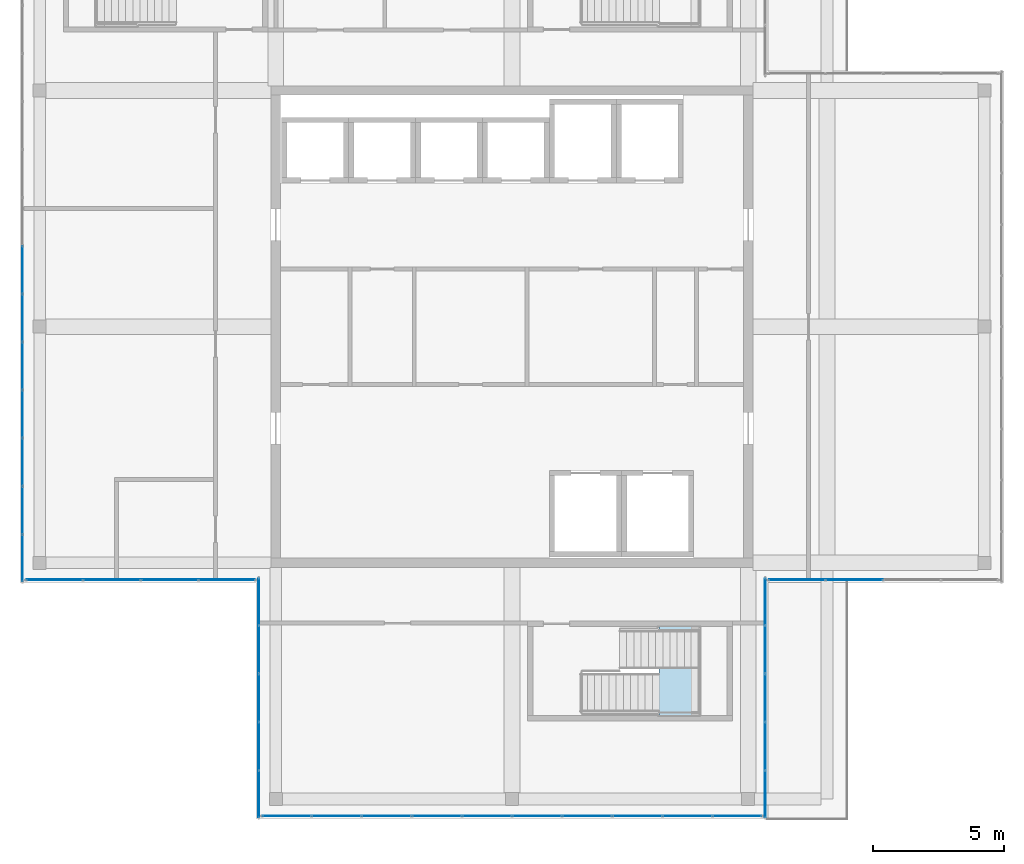
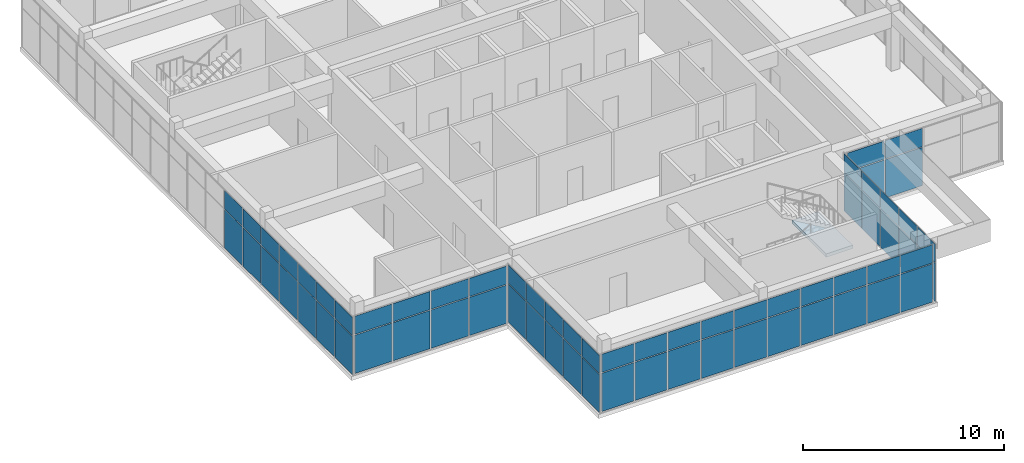
# One storey, part 30 of 36: 66 plates, 1 slab, 7 elements without a shape of their own.
"""IFC4 building model written with IfcOpenShell, lengths in metres."""

import ifcopenshell
import ifcopenshell.guid

model = None  # the IFC model being written
_history = None  # IfcOwnerHistory: only IFC2X3 demands one
_inside = {}  # id of a spatial element -> (the spatial element, [elements in it])
_under = {}  # id of a project, library or spatial element -> (it, [spatial elements below it])
_declared = {}  # id of a project -> (the project, [libraries it declares])
_typed = {}  # id of a type object -> (the type object, [elements of that type])
_made_of = {}  # id of a material, layer set ... -> (it, [elements and type objects made of it])


def new_model(schema):
    """Start an empty IFC model of exactly this schema.

    Asked for "IFC4X3", IfcOpenShell would pick the latest addendum, in which some entities
    have other attributes; the version numbers below select the first issue.
    IFC2X3 requires an IfcOwnerHistory on every rooted entity: one is made here for all.
    """
    global model, _history
    if schema == "IFC4X3":
        model = ifcopenshell.file(schema_version=(4, 3, 0, 0))
    else:
        model = ifcopenshell.file(schema=schema)
    _inside.clear()
    _under.clear()
    _declared.clear()
    _typed.clear()
    _made_of.clear()
    _history = None
    if model.schema == "IFC2X3":
        org = make("IfcOrganization", Name="unknown")
        user = make(
            "IfcPersonAndOrganization",
            ThePerson=make("IfcPerson", FamilyName="unknown"),
            TheOrganization=org,
        )
        app = make(
            "IfcApplication",
            ApplicationDeveloper=org,
            Version="unknown",
            ApplicationFullName="unknown",
            ApplicationIdentifier="unknown",
        )
        _history = make(
            "IfcOwnerHistory",
            OwningUser=user,
            OwningApplication=app,
            ChangeAction="ADDED",
            CreationDate=0,
        )
    return model


def make(cls, **values):
    """One entity of the class cls with the attributes given. An attribute that is None is left unset."""
    return model.create_entity(
        cls, **{name: value for name, value in values.items() if value is not None}
    )


def rooted(cls, **values):
    """An entity with a GlobalId (a new one), such as an element, a storey or a relation."""
    return make(cls, GlobalId=ifcopenshell.guid.new(), OwnerHistory=_history, **values)


def si_unit(unit_type, name, prefix=None):
    """IfcSIUnit, for example si_unit("LENGTHUNIT", "METRE", prefix="MILLI")."""
    return make("IfcSIUnit", UnitType=unit_type, Prefix=prefix, Name=name)


def assignment(units):
    """IfcUnitAssignment: the units of a project."""
    return None if units is None else make("IfcUnitAssignment", Units=units)


def point(xyz):
    """IfcCartesianPoint."""
    return None if xyz is None else make("IfcCartesianPoint", Coordinates=xyz)


def direction(xyz):
    """IfcDirection."""
    return None if xyz is None else make("IfcDirection", DirectionRatios=xyz)


def frame(location, z_axis=None, x_axis=None):
    """IfcAxis2Placement3D, a coordinate frame: its origin and axes. An axis left out is left unset."""
    return make(
        "IfcAxis2Placement3D",
        Location=point(location),
        Axis=direction(z_axis),
        RefDirection=direction(x_axis),
    )


def frame_2d(location, x_axis=None):
    """IfcAxis2Placement2D, a coordinate frame in the plane: its origin and x axis."""
    return make(
        "IfcAxis2Placement2D", Location=point(location), RefDirection=direction(x_axis)
    )


def origin():
    """The frame at (0, 0, 0) with its axes left unset."""
    return frame((0.0, 0.0, 0.0))


def origin_2d():
    """The frame at (0, 0) in the plane with its x axis left unset."""
    return frame_2d((0.0, 0.0))


def place(relative_to, where):
    """IfcLocalPlacement: puts the frame where relative to a parent placement (None: the world)."""
    return make(
        "IfcLocalPlacement", PlacementRelTo=relative_to, RelativePlacement=where
    )


def context(
    kind, dimensions, precision=None, world=None, true_north=None, identifier=None
):
    """IfcGeometricRepresentationContext, for example the 3D "Model" context."""
    return make(
        "IfcGeometricRepresentationContext",
        ContextIdentifier=identifier,
        ContextType=kind,
        CoordinateSpaceDimension=dimensions,
        Precision=precision,
        WorldCoordinateSystem=world,
        TrueNorth=true_north,
    )


def subcontext(parent, identifier, kind, view, scale=None):
    """IfcGeometricRepresentationSubContext, for example "Body" below "Model"."""
    return make(
        "IfcGeometricRepresentationSubContext",
        ContextIdentifier=identifier,
        ContextType=kind,
        ParentContext=parent,
        TargetScale=scale,
        TargetView=view,
    )


def project(units=None, contexts=None):
    """IfcProject with its units and contexts."""
    return rooted(
        "IfcProject",
        Name="project",
        RepresentationContexts=contexts,
        UnitsInContext=assignment(units),
    )


def spatial(cls, under=None, at=None, **own):
    """A site, building, storey or space (cls), placed at a placement, below another one or the project."""
    s = rooted(cls, ObjectPlacement=at, **own)
    if under is not None:
        _under.setdefault(under.id(), (under, []))[1].append(s)
    return s


def polyline(points):
    """IfcPolyline through the points."""
    return make("IfcPolyline", Points=[point(p) for p in points])


def profile(cls, at=None, kind="AREA", **sizes):
    """A parametric profile (cls). Its sizes go by their IFC names, for example OverallWidth=200.0."""
    return make(cls, ProfileType=kind, Position=at, **sizes)


def rectangle(**sizes):
    """IfcRectangleProfileDef."""
    return profile("IfcRectangleProfileDef", **sizes)


def outline(outer, holes=None, kind="AREA"):
    """IfcArbitraryClosedProfileDef: a profile drawn as a closed curve; with holes, ...WithVoids."""
    if holes is None:
        return make("IfcArbitraryClosedProfileDef", ProfileType=kind, OuterCurve=outer)
    return make(
        "IfcArbitraryProfileDefWithVoids",
        ProfileType=kind,
        OuterCurve=outer,
        InnerCurves=holes,
    )


def extrude(swept, where, along, depth):
    """IfcExtrudedAreaSolid: the profile swept, set in the frame where, extruded along a direction by depth."""
    return make(
        "IfcExtrudedAreaSolid",
        SweptArea=swept,
        Position=where,
        ExtrudedDirection=direction(along),
        Depth=depth,
    )


def shape(context_of_items, identifier, shape_type, items):
    """IfcShapeRepresentation: the items that make up one representation, for example the "Body"."""
    return make(
        "IfcShapeRepresentation",
        ContextOfItems=context_of_items,
        RepresentationIdentifier=identifier,
        RepresentationType=shape_type,
        Items=items,
    )


def material(Name=None, Category=None):
    """IfcMaterial."""
    return make("IfcMaterial", Name=Name, Category=Category)


def layer(
    of_material, thickness, ventilated=None, Name=None, Category=None, Priority=None
):
    """IfcMaterialLayer: one layer of a wall or slab, of a material (None: an air gap)."""
    return make(
        "IfcMaterialLayer",
        Material=of_material,
        LayerThickness=thickness,
        IsVentilated=ventilated,
        Name=Name,
        Category=Category,
        Priority=Priority,
    )


def layer_set(layers, Name=None):
    """IfcMaterialLayerSet."""
    return make("IfcMaterialLayerSet", MaterialLayers=layers, LayerSetName=Name)


def made_of(thing, what):
    """Note that an element or type object is made of a material, layer set ...; save() writes the relation."""
    if what is not None:
        _made_of.setdefault(what.id(), (what, []))[1].append(thing)
    return thing


def type_object(cls, material=None, **own):
    """A type object (cls), such as IfcWallType, which elements share."""
    return made_of(rooted(cls, **own), material)


def element(
    cls,
    number,
    at=None,
    inside=None,
    cuts=None,
    type_object=None,
    material=None,
    context=None,
    identifier="Body",
    shape_type=None,
    held_by="IfcProductDefinitionShape",
    body=None,
    shapes=None,
    **own,
):
    """One element of the class cls, such as IfcWall. Its Tag is "e" and its number.

    at: its placement. inside: the storey or other place that contains it. cuts: it is an
    opening in that element (IfcRelVoidsElement). A single representation is given by context,
    identifier, shape_type and body (its items); several are given by shapes. held_by: the class
    of the entity that holds the representations. save() writes the other relations.
    """
    e = rooted(cls, Tag="e%d" % number, ObjectPlacement=at, **own)
    if body is not None:
        shapes = [shape(context, identifier, shape_type, body)]
    if shapes is not None:
        e.Representation = make(held_by, Representations=shapes)
    if inside is not None:
        _inside.setdefault(inside.id(), (inside, []))[1].append(e)
    if cuts is not None:
        rooted(
            "IfcRelVoidsElement", RelatingBuildingElement=cuts, RelatedOpeningElement=e
        )
    if type_object is not None:
        _typed.setdefault(type_object.id(), (type_object, []))[1].append(e)
    return made_of(e, material)


def aggregate(whole, parts):
    """IfcRelAggregates: a whole, such as a stair, and the parts it consists of."""
    return rooted("IfcRelAggregates", RelatingObject=whole, RelatedObjects=parts)


def save(model, path):
    """Write the relations noted so far, then the file.

    IfcRelAggregates (storeys below a building ...), IfcRelContainedInSpatialStructure (elements
    in a storey), IfcRelDefinesByType, IfcRelAssociatesMaterial and IfcRelDeclares: one each for
    every whole, place, type object, material and project.
    """
    for whole, parts in _under.values():
        aggregate(whole, parts)
    for where, things in _inside.values():
        rooted(
            "IfcRelContainedInSpatialStructure",
            RelatedElements=things,
            RelatingStructure=where,
        )
    for kind, things in _typed.values():
        rooted("IfcRelDefinesByType", RelatedObjects=things, RelatingType=kind)
    for what, things in _made_of.values():
        rooted("IfcRelAssociatesMaterial", RelatedObjects=things, RelatingMaterial=what)
    for by, libraries in _declared.values():
        rooted("IfcRelDeclares", RelatingContext=by, RelatedDefinitions=libraries)
    model.write(path)


model = new_model("IFC4")

# Units and contexts
model_context = context("Model", 3, precision=1e-05, world=origin(), true_north=direction((0.0, 1.0)))
body_context = subcontext(model_context, "Body", "Model", "MODEL_VIEW")
ifc_project = project(units=[si_unit("LENGTHUNIT", "METRE"), si_unit("AREAUNIT", "SQUARE_METRE"), si_unit("VOLUMEUNIT", "CUBIC_METRE"), si_unit("PLANEANGLEUNIT", "RADIAN"), si_unit("MASSUNIT", "GRAM", prefix="KILO")], contexts=[model_context])

# Site, building, storey
site_placement = place(None, origin())
site = spatial("IfcSite", under=ifc_project, at=site_placement, CompositionType="ELEMENT")
building_placement = place(site_placement, origin())
building = spatial("IfcBuilding", under=site, at=building_placement, Name="Tuart Plaza Theatre", CompositionType="ELEMENT")
storey_placement = place(building_placement, frame((0.0, 0.0, 61.5)))
storey = spatial("IfcBuildingStorey", under=building, at=storey_placement, Name="L15", CompositionType="ELEMENT", Elevation=61.5)

# Curtain wall, plates
ifc_material_1 = material(Name="Aluminium and glass", Category="aluminium")
ifc_layer_1 = layer(ifc_material_1, 0.10009765625)
ifc_layer_set_1 = layer_set([ifc_layer_1], Name="CURTAIN WALL 2000 module")
curtain_wall_type_1 = type_object("IfcCurtainWallType", Name="CURTAIN WALL 2000 module", PredefinedType="NOTDEFINED", material=ifc_layer_set_1)
curtain_wall_1_placement = place(storey_placement, origin())
curtain_wall_1 = element("IfcCurtainWall", 1, at=curtain_wall_1_placement, inside=storey, type_object=curtain_wall_type_1, Name="CW112", PredefinedType="NOTDEFINED")
ifc_material_2 = material(Name="Glass", Category="glass")
ifc_layer_2 = layer(ifc_material_2, 0.028076171875)
ifc_layer_set_2 = layer_set([ifc_layer_2], Name="CURTAIN PANEL double glazed 28")
plate_type_1 = type_object("IfcPlateType", Name="CURTAIN PANEL double glazed 28", PredefinedType="CURTAIN_PANEL", material=ifc_layer_set_2)
plate_1_placement = place(storey_placement, frame((141.64990234375, 56.1826171875, 0.0498046875), z_axis=(0.0, 0.0, 1.0), x_axis=(0.0, 1.0, 0.0)))
plate_1 = element("IfcPlate", 2, at=plate_1_placement, type_object=plate_type_1, Name="CW112 panel 1.1", PredefinedType="CURTAIN_PANEL", context=body_context, shape_type="SweptSolid", body=[
    extrude(rectangle(XDim=1.764892578125, YDim=0.028076171875, at=origin_2d()), origin(), (0.0, 0.0, 1.0), 2.324951171875),
])
plate_2_placement = place(storey_placement, frame((141.64990234375, 56.1826171875, 2.425048828125), z_axis=(0.0, 0.0, 1.0), x_axis=(0.0, 1.0, 0.0)))
plate_2 = element("IfcPlate", 3, at=plate_2_placement, type_object=plate_type_1, Name="CW112 panel 1.2", PredefinedType="CURTAIN_PANEL", context=body_context, shape_type="SweptSolid", body=[
    extrude(rectangle(XDim=1.764892578125, YDim=0.028076171875, at=origin_2d()), origin(), (0.0, 0.0, 1.0), 1.10498046875),
])
plate_3_placement = place(storey_placement, frame((141.64990234375, 58.010009765625, 0.0498046875), z_axis=(0.0, 0.0, 1.0), x_axis=(0.0, 1.0, 0.0)))
plate_3 = element("IfcPlate", 4, at=plate_3_placement, type_object=plate_type_1, Name="CW112 panel 2.1", PredefinedType="CURTAIN_PANEL", context=body_context, shape_type="SweptSolid", body=[
    extrude(rectangle(XDim=1.7900390625, YDim=0.028076171875, at=origin_2d()), origin(), (0.0, 0.0, 1.0), 2.324951171875),
])
plate_4_placement = place(storey_placement, frame((141.64990234375, 58.010009765625, 2.425048828125), z_axis=(0.0, 0.0, 1.0), x_axis=(0.0, 1.0, 0.0)))
plate_4 = element("IfcPlate", 5, at=plate_4_placement, type_object=plate_type_1, Name="CW112 panel 2.2", PredefinedType="CURTAIN_PANEL", context=body_context, shape_type="SweptSolid", body=[
    extrude(rectangle(XDim=1.7900390625, YDim=0.028076171875, at=origin_2d()), origin(), (0.0, 0.0, 1.0), 1.10498046875),
])
plate_5_placement = place(storey_placement, frame((141.64990234375, 61.68994140625, 0.0498046875), z_axis=(0.0, 0.0, 1.0), x_axis=(0.0, 1.0, 0.0)))
plate_5 = element("IfcPlate", 6, at=plate_5_placement, type_object=plate_type_1, Name="CW112 panel 4.1", PredefinedType="CURTAIN_PANEL", context=body_context, shape_type="SweptSolid", body=[
    extrude(rectangle(XDim=1.7900390625, YDim=0.028076171875, at=origin_2d()), origin(), (0.0, 0.0, 1.0), 2.324951171875),
])
plate_6_placement = place(storey_placement, frame((141.64990234375, 61.68994140625, 2.425048828125), z_axis=(0.0, 0.0, 1.0), x_axis=(0.0, 1.0, 0.0)))
plate_6 = element("IfcPlate", 7, at=plate_6_placement, type_object=plate_type_1, Name="CW112 panel 4.2", PredefinedType="CURTAIN_PANEL", context=body_context, shape_type="SweptSolid", body=[
    extrude(rectangle(XDim=1.7900390625, YDim=0.028076171875, at=origin_2d()), origin(), (0.0, 0.0, 1.0), 1.10498046875),
])
plate_7_placement = place(storey_placement, frame((141.64990234375, 63.517578125, 0.0498046875), z_axis=(0.0, 0.0, 1.0), x_axis=(0.0, 1.0, 0.0)))
plate_7 = element("IfcPlate", 8, at=plate_7_placement, type_object=plate_type_1, Name="CW112 panel 5.1", PredefinedType="CURTAIN_PANEL", context=body_context, shape_type="SweptSolid", body=[
    extrude(rectangle(XDim=1.764892578125, YDim=0.028076171875, at=origin_2d()), origin(), (0.0, 0.0, 1.0), 2.324951171875),
])
plate_8_placement = place(storey_placement, frame((141.64990234375, 63.517578125, 2.425048828125), z_axis=(0.0, 0.0, 1.0), x_axis=(0.0, 1.0, 0.0)))
plate_8 = element("IfcPlate", 9, at=plate_8_placement, type_object=plate_type_1, Name="CW112 panel 5.2", PredefinedType="CURTAIN_PANEL", context=body_context, shape_type="SweptSolid", body=[
    extrude(rectangle(XDim=1.764892578125, YDim=0.028076171875, at=origin_2d()), origin(), (0.0, 0.0, 1.0), 1.10498046875),
])

curtain_wall_2_placement = place(storey_placement, origin())
curtain_wall_2 = element("IfcCurtainWall", 10, at=curtain_wall_2_placement, inside=storey, type_object=curtain_wall_type_1, Name="CW113", PredefinedType="NOTDEFINED")
plate_9_placement = place(storey_placement, frame((142.862548828125, 64.35009765625, 0.0498046875), z_axis=(0.0, 0.0, 1.0), x_axis=(1.0, 0.0, 0.0)))
plate_9 = element("IfcPlate", 11, at=plate_9_placement, type_object=plate_type_1, Name="CW113 panel 1.1", PredefinedType="CURTAIN_PANEL", context=body_context, shape_type="SweptSolid", body=[
    extrude(rectangle(XDim=2.125, YDim=0.028076171875, at=origin_2d()), origin(), (0.0, 0.0, 1.0), 2.324951171875),
])
plate_10_placement = place(storey_placement, frame((142.862548828125, 64.35009765625, 2.425048828125), z_axis=(0.0, 0.0, 1.0), x_axis=(1.0, 0.0, 0.0)))
plate_10 = element("IfcPlate", 12, at=plate_10_placement, type_object=plate_type_1, Name="CW113 panel 1.2", PredefinedType="CURTAIN_PANEL", context=body_context, shape_type="SweptSolid", body=[
    extrude(rectangle(XDim=2.125, YDim=0.028076171875, at=origin_2d()), origin(), (0.0, 0.0, 1.0), 1.10498046875),
])
plate_11_placement = place(storey_placement, frame((145.050048828125, 64.35009765625, 0.0498046875), z_axis=(0.0, 0.0, 1.0), x_axis=(1.0, 0.0, 0.0)))
plate_11 = element("IfcPlate", 13, at=plate_11_placement, type_object=plate_type_1, Name="CW113 panel 2.1", PredefinedType="CURTAIN_PANEL", context=body_context, shape_type="SweptSolid", body=[
    extrude(rectangle(XDim=2.14990234375, YDim=0.028076171875, at=origin_2d()), origin(), (0.0, 0.0, 1.0), 2.324951171875),
])
plate_12_placement = place(storey_placement, frame((145.050048828125, 64.35009765625, 2.425048828125), z_axis=(0.0, 0.0, 1.0), x_axis=(1.0, 0.0, 0.0)))
plate_12 = element("IfcPlate", 14, at=plate_12_placement, type_object=plate_type_1, Name="CW113 panel 2.2", PredefinedType="CURTAIN_PANEL", context=body_context, shape_type="SweptSolid", body=[
    extrude(rectangle(XDim=2.14990234375, YDim=0.028076171875, at=origin_2d()), origin(), (0.0, 0.0, 1.0), 1.10498046875),
])
aggregate(curtain_wall_2, [plate_9, plate_10, plate_11, plate_12])

ifc_material_3 = material(Name="Aluminium and glass", Category="aluminium")
ifc_layer_3 = layer(ifc_material_3, 0.10009765625)
ifc_layer_set_3 = layer_set([ifc_layer_3], Name="CURTAIN WALL 1800 module")
curtain_wall_type_2 = type_object("IfcCurtainWallType", Name="CURTAIN WALL 1800 module", PredefinedType="NOTDEFINED", material=ifc_layer_set_3)
curtain_wall_3_placement = place(storey_placement, origin())
curtain_wall_3 = element("IfcCurtainWall", 15, at=curtain_wall_3_placement, inside=storey, type_object=curtain_wall_type_2, Name="CW118", PredefinedType="NOTDEFINED")
plate_13_placement = place(storey_placement, frame((113.35009765625, 76.166748046875, 0.0498046875), z_axis=(0.0, 0.0, 1.0), x_axis=(0.0, -1.0, 0.0)))
plate_13 = element("IfcPlate", 16, at=plate_13_placement, type_object=plate_type_1, Name="CW118 panel 12.1", PredefinedType="CURTAIN_PANEL", context=body_context, shape_type="SweptSolid", body=[
    extrude(rectangle(XDim=1.783447265625, YDim=0.028076171875, at=origin_2d()), origin(), (0.0, 0.0, 1.0), 2.324951171875),
])
plate_14_placement = place(storey_placement, frame((113.35009765625, 76.166748046875, 2.425048828125), z_axis=(0.0, 0.0, 1.0), x_axis=(0.0, -1.0, 0.0)))
plate_14 = element("IfcPlate", 17, at=plate_14_placement, type_object=plate_type_1, Name="CW118 panel 12.2", PredefinedType="CURTAIN_PANEL", context=body_context, shape_type="SweptSolid", body=[
    extrude(rectangle(XDim=1.783447265625, YDim=0.028076171875, at=origin_2d()), origin(), (0.0, 0.0, 1.0), 1.10498046875),
])
plate_15_placement = place(storey_placement, frame((113.35009765625, 74.333251953125, 0.0498046875), z_axis=(0.0, 0.0, 1.0), x_axis=(0.0, -1.0, 0.0)))
plate_15 = element("IfcPlate", 18, at=plate_15_placement, type_object=plate_type_1, Name="CW118 panel 13.1", PredefinedType="CURTAIN_PANEL", context=body_context, shape_type="SweptSolid", body=[
    extrude(rectangle(XDim=1.783447265625, YDim=0.028076171875, at=origin_2d()), origin(), (0.0, 0.0, 1.0), 2.324951171875),
])
plate_16_placement = place(storey_placement, frame((113.35009765625, 74.333251953125, 2.425048828125), z_axis=(0.0, 0.0, 1.0), x_axis=(0.0, -1.0, 0.0)))
plate_16 = element("IfcPlate", 19, at=plate_16_placement, type_object=plate_type_1, Name="CW118 panel 13.2", PredefinedType="CURTAIN_PANEL", context=body_context, shape_type="SweptSolid", body=[
    extrude(rectangle(XDim=1.783447265625, YDim=0.028076171875, at=origin_2d()), origin(), (0.0, 0.0, 1.0), 1.10498046875),
])
plate_17_placement = place(storey_placement, frame((113.35009765625, 72.5, 0.0498046875), z_axis=(0.0, 0.0, 1.0), x_axis=(0.0, -1.0, 0.0)))
plate_17 = element("IfcPlate", 20, at=plate_17_placement, type_object=plate_type_1, Name="CW118 panel 14.1", PredefinedType="CURTAIN_PANEL", context=body_context, shape_type="SweptSolid", body=[
    extrude(rectangle(XDim=1.783447265625, YDim=0.028076171875, at=origin_2d()), origin(), (0.0, 0.0, 1.0), 2.324951171875),
])
plate_18_placement = place(storey_placement, frame((113.35009765625, 72.5, 2.425048828125), z_axis=(0.0, 0.0, 1.0), x_axis=(0.0, -1.0, 0.0)))
plate_18 = element("IfcPlate", 21, at=plate_18_placement, type_object=plate_type_1, Name="CW118 panel 14.2", PredefinedType="CURTAIN_PANEL", context=body_context, shape_type="SweptSolid", body=[
    extrude(rectangle(XDim=1.783447265625, YDim=0.028076171875, at=origin_2d()), origin(), (0.0, 0.0, 1.0), 1.10498046875),
])
plate_19_placement = place(storey_placement, frame((113.35009765625, 70.666748046875, 0.0498046875), z_axis=(0.0, 0.0, 1.0), x_axis=(0.0, -1.0, 0.0)))
plate_19 = element("IfcPlate", 22, at=plate_19_placement, type_object=plate_type_1, Name="CW118 panel 15.1", PredefinedType="CURTAIN_PANEL", context=body_context, shape_type="SweptSolid", body=[
    extrude(rectangle(XDim=1.783447265625, YDim=0.028076171875, at=origin_2d()), origin(), (0.0, 0.0, 1.0), 2.324951171875),
])
plate_20_placement = place(storey_placement, frame((113.35009765625, 70.666748046875, 2.425048828125), z_axis=(0.0, 0.0, 1.0), x_axis=(0.0, -1.0, 0.0)))
plate_20 = element("IfcPlate", 23, at=plate_20_placement, type_object=plate_type_1, Name="CW118 panel 15.2", PredefinedType="CURTAIN_PANEL", context=body_context, shape_type="SweptSolid", body=[
    extrude(rectangle(XDim=1.783447265625, YDim=0.028076171875, at=origin_2d()), origin(), (0.0, 0.0, 1.0), 1.10498046875),
])
plate_21_placement = place(storey_placement, frame((113.35009765625, 68.833251953125, 0.0498046875), z_axis=(0.0, 0.0, 1.0), x_axis=(0.0, -1.0, 0.0)))
plate_21 = element("IfcPlate", 24, at=plate_21_placement, type_object=plate_type_1, Name="CW118 panel 16.1", PredefinedType="CURTAIN_PANEL", context=body_context, shape_type="SweptSolid", body=[
    extrude(rectangle(XDim=1.783447265625, YDim=0.028076171875, at=origin_2d()), origin(), (0.0, 0.0, 1.0), 2.324951171875),
])
plate_22_placement = place(storey_placement, frame((113.35009765625, 68.833251953125, 2.425048828125), z_axis=(0.0, 0.0, 1.0), x_axis=(0.0, -1.0, 0.0)))
plate_22 = element("IfcPlate", 25, at=plate_22_placement, type_object=plate_type_1, Name="CW118 panel 16.2", PredefinedType="CURTAIN_PANEL", context=body_context, shape_type="SweptSolid", body=[
    extrude(rectangle(XDim=1.783447265625, YDim=0.028076171875, at=origin_2d()), origin(), (0.0, 0.0, 1.0), 1.10498046875),
])
plate_23_placement = place(storey_placement, frame((113.35009765625, 67.0, 0.0498046875), z_axis=(0.0, 0.0, 1.0), x_axis=(0.0, -1.0, 0.0)))
plate_23 = element("IfcPlate", 26, at=plate_23_placement, type_object=plate_type_1, Name="CW118 panel 17.1", PredefinedType="CURTAIN_PANEL", context=body_context, shape_type="SweptSolid", body=[
    extrude(rectangle(XDim=1.783447265625, YDim=0.028076171875, at=origin_2d()), origin(), (0.0, 0.0, 1.0), 2.324951171875),
])
plate_24_placement = place(storey_placement, frame((113.35009765625, 67.0, 2.425048828125), z_axis=(0.0, 0.0, 1.0), x_axis=(0.0, -1.0, 0.0)))
plate_24 = element("IfcPlate", 27, at=plate_24_placement, type_object=plate_type_1, Name="CW118 panel 17.2", PredefinedType="CURTAIN_PANEL", context=body_context, shape_type="SweptSolid", body=[
    extrude(rectangle(XDim=1.783447265625, YDim=0.028076171875, at=origin_2d()), origin(), (0.0, 0.0, 1.0), 1.10498046875),
])
plate_25_placement = place(storey_placement, frame((113.35009765625, 65.17919921875, 0.0498046875), z_axis=(0.0, 0.0, 1.0), x_axis=(0.0, -1.0, 0.0)))
plate_25 = element("IfcPlate", 28, at=plate_25_placement, type_object=plate_type_1, Name="CW118 panel 18.1", PredefinedType="CURTAIN_PANEL", context=body_context, shape_type="SweptSolid", body=[
    extrude(rectangle(XDim=1.75830078125, YDim=0.028076171875, at=origin_2d()), origin(), (0.0, 0.0, 1.0), 2.324951171875),
])
plate_26_placement = place(storey_placement, frame((113.35009765625, 65.17919921875, 2.425048828125), z_axis=(0.0, 0.0, 1.0), x_axis=(0.0, -1.0, 0.0)))
plate_26 = element("IfcPlate", 29, at=plate_26_placement, type_object=plate_type_1, Name="CW118 panel 18.2", PredefinedType="CURTAIN_PANEL", context=body_context, shape_type="SweptSolid", body=[
    extrude(rectangle(XDim=1.75830078125, YDim=0.028076171875, at=origin_2d()), origin(), (0.0, 0.0, 1.0), 1.10498046875),
])
aggregate(curtain_wall_3, [plate_13, plate_14, plate_15, plate_16, plate_17, plate_18, plate_19, plate_20, plate_21, plate_22, plate_23, plate_24, plate_25, plate_26])

curtain_wall_4_placement = place(storey_placement, origin())
curtain_wall_4 = element("IfcCurtainWall", 30, at=curtain_wall_4_placement, inside=storey, type_object=curtain_wall_type_1, Name="CW120", PredefinedType="NOTDEFINED")
plate_27_placement = place(storey_placement, frame((114.5625, 64.35009765625, 0.0498046875), z_axis=(0.0, 0.0, 1.0), x_axis=(1.0, 0.0, 0.0)))
plate_27 = element("IfcPlate", 31, at=plate_27_placement, type_object=plate_type_1, Name="CW120 panel 1.1", PredefinedType="CURTAIN_PANEL", context=body_context, shape_type="SweptSolid", body=[
    extrude(rectangle(XDim=2.125, YDim=0.028076171875, at=origin_2d()), origin(), (0.0, 0.0, 1.0), 2.324951171875),
])
plate_28_placement = place(storey_placement, frame((114.5625, 64.35009765625, 2.425048828125), z_axis=(0.0, 0.0, 1.0), x_axis=(1.0, 0.0, 0.0)))
plate_28 = element("IfcPlate", 32, at=plate_28_placement, type_object=plate_type_1, Name="CW120 panel 1.2", PredefinedType="CURTAIN_PANEL", context=body_context, shape_type="SweptSolid", body=[
    extrude(rectangle(XDim=2.125, YDim=0.028076171875, at=origin_2d()), origin(), (0.0, 0.0, 1.0), 1.10498046875),
])
plate_29_placement = place(storey_placement, frame((116.75, 64.35009765625, 0.0498046875), z_axis=(0.0, 0.0, 1.0), x_axis=(1.0, 0.0, 0.0)))
plate_29 = element("IfcPlate", 33, at=plate_29_placement, type_object=plate_type_1, Name="CW120 panel 2.1", PredefinedType="CURTAIN_PANEL", context=body_context, shape_type="SweptSolid", body=[
    extrude(rectangle(XDim=2.14990234375, YDim=0.028076171875, at=origin_2d()), origin(), (0.0, 0.0, 1.0), 2.324951171875),
])
plate_30_placement = place(storey_placement, frame((116.75, 64.35009765625, 2.425048828125), z_axis=(0.0, 0.0, 1.0), x_axis=(1.0, 0.0, 0.0)))
plate_30 = element("IfcPlate", 34, at=plate_30_placement, type_object=plate_type_1, Name="CW120 panel 2.2", PredefinedType="CURTAIN_PANEL", context=body_context, shape_type="SweptSolid", body=[
    extrude(rectangle(XDim=2.14990234375, YDim=0.028076171875, at=origin_2d()), origin(), (0.0, 0.0, 1.0), 1.10498046875),
])
plate_31_placement = place(storey_placement, frame((118.949951171875, 64.35009765625, 0.0498046875), z_axis=(0.0, 0.0, 1.0), x_axis=(1.0, 0.0, 0.0)))
plate_31 = element("IfcPlate", 35, at=plate_31_placement, type_object=plate_type_1, Name="CW120 panel 3.1", PredefinedType="CURTAIN_PANEL", context=body_context, shape_type="SweptSolid", body=[
    extrude(rectangle(XDim=2.14990234375, YDim=0.028076171875, at=origin_2d()), origin(), (0.0, 0.0, 1.0), 2.324951171875),
])
plate_32_placement = place(storey_placement, frame((118.949951171875, 64.35009765625, 2.425048828125), z_axis=(0.0, 0.0, 1.0), x_axis=(1.0, 0.0, 0.0)))
plate_32 = element("IfcPlate", 36, at=plate_32_placement, type_object=plate_type_1, Name="CW120 panel 3.2", PredefinedType="CURTAIN_PANEL", context=body_context, shape_type="SweptSolid", body=[
    extrude(rectangle(XDim=2.14990234375, YDim=0.028076171875, at=origin_2d()), origin(), (0.0, 0.0, 1.0), 1.10498046875),
])
plate_33_placement = place(storey_placement, frame((121.137451171875, 64.35009765625, 0.0498046875), z_axis=(0.0, 0.0, 1.0), x_axis=(1.0, 0.0, 0.0)))
plate_33 = element("IfcPlate", 37, at=plate_33_placement, type_object=plate_type_1, Name="CW120 panel 4.1", PredefinedType="CURTAIN_PANEL", context=body_context, shape_type="SweptSolid", body=[
    extrude(rectangle(XDim=2.125, YDim=0.028076171875, at=origin_2d()), origin(), (0.0, 0.0, 1.0), 2.324951171875),
])
plate_34_placement = place(storey_placement, frame((121.137451171875, 64.35009765625, 2.425048828125), z_axis=(0.0, 0.0, 1.0), x_axis=(1.0, 0.0, 0.0)))
plate_34 = element("IfcPlate", 38, at=plate_34_placement, type_object=plate_type_1, Name="CW120 panel 4.2", PredefinedType="CURTAIN_PANEL", context=body_context, shape_type="SweptSolid", body=[
    extrude(rectangle(XDim=2.125, YDim=0.028076171875, at=origin_2d()), origin(), (0.0, 0.0, 1.0), 1.10498046875),
])
aggregate(curtain_wall_4, [plate_27, plate_28, plate_29, plate_30, plate_31, plate_32, plate_33, plate_34])

curtain_wall_5_placement = place(storey_placement, origin())
curtain_wall_5 = element("IfcCurtainWall", 39, at=curtain_wall_5_placement, inside=storey, type_object=curtain_wall_type_1, Name="CW121", PredefinedType="NOTDEFINED")
plate_35_placement = place(storey_placement, frame((122.35009765625, 63.517578125, 0.0498046875), z_axis=(0.0, 0.0, 1.0), x_axis=(0.0, -1.0, 0.0)))
plate_35 = element("IfcPlate", 40, at=plate_35_placement, type_object=plate_type_1, Name="CW121 panel 1.1", PredefinedType="CURTAIN_PANEL", context=body_context, shape_type="SweptSolid", body=[
    extrude(rectangle(XDim=1.764892578125, YDim=0.028076171875, at=origin_2d()), origin(), (0.0, 0.0, 1.0), 2.324951171875),
])
plate_36_placement = place(storey_placement, frame((122.35009765625, 63.517578125, 2.425048828125), z_axis=(0.0, 0.0, 1.0), x_axis=(0.0, -1.0, 0.0)))
plate_36 = element("IfcPlate", 41, at=plate_36_placement, type_object=plate_type_1, Name="CW121 panel 1.2", PredefinedType="CURTAIN_PANEL", context=body_context, shape_type="SweptSolid", body=[
    extrude(rectangle(XDim=1.764892578125, YDim=0.028076171875, at=origin_2d()), origin(), (0.0, 0.0, 1.0), 1.10498046875),
])
plate_37_placement = place(storey_placement, frame((122.35009765625, 61.68994140625, 0.0498046875), z_axis=(0.0, 0.0, 1.0), x_axis=(0.0, -1.0, 0.0)))
plate_37 = element("IfcPlate", 42, at=plate_37_placement, type_object=plate_type_1, Name="CW121 panel 2.1", PredefinedType="CURTAIN_PANEL", context=body_context, shape_type="SweptSolid", body=[
    extrude(rectangle(XDim=1.7900390625, YDim=0.028076171875, at=origin_2d()), origin(), (0.0, 0.0, 1.0), 2.324951171875),
])
plate_38_placement = place(storey_placement, frame((122.35009765625, 61.68994140625, 2.425048828125), z_axis=(0.0, 0.0, 1.0), x_axis=(0.0, -1.0, 0.0)))
plate_38 = element("IfcPlate", 43, at=plate_38_placement, type_object=plate_type_1, Name="CW121 panel 2.2", PredefinedType="CURTAIN_PANEL", context=body_context, shape_type="SweptSolid", body=[
    extrude(rectangle(XDim=1.7900390625, YDim=0.028076171875, at=origin_2d()), origin(), (0.0, 0.0, 1.0), 1.10498046875),
])
plate_39_placement = place(storey_placement, frame((122.35009765625, 59.85009765625, 0.0498046875), z_axis=(0.0, 0.0, 1.0), x_axis=(0.0, -1.0, 0.0)))
plate_39 = element("IfcPlate", 44, at=plate_39_placement, type_object=plate_type_1, Name="CW121 panel 3.1", PredefinedType="CURTAIN_PANEL", context=body_context, shape_type="SweptSolid", body=[
    extrude(rectangle(XDim=1.7900390625, YDim=0.028076171875, at=origin_2d()), origin(), (0.0, 0.0, 1.0), 2.324951171875),
])
plate_40_placement = place(storey_placement, frame((122.35009765625, 59.85009765625, 2.425048828125), z_axis=(0.0, 0.0, 1.0), x_axis=(0.0, -1.0, 0.0)))
plate_40 = element("IfcPlate", 45, at=plate_40_placement, type_object=plate_type_1, Name="CW121 panel 3.2", PredefinedType="CURTAIN_PANEL", context=body_context, shape_type="SweptSolid", body=[
    extrude(rectangle(XDim=1.7900390625, YDim=0.028076171875, at=origin_2d()), origin(), (0.0, 0.0, 1.0), 1.10498046875),
])
plate_41_placement = place(storey_placement, frame((122.35009765625, 58.010009765625, 0.0498046875), z_axis=(0.0, 0.0, 1.0), x_axis=(0.0, -1.0, 0.0)))
plate_41 = element("IfcPlate", 46, at=plate_41_placement, type_object=plate_type_1, Name="CW121 panel 4.1", PredefinedType="CURTAIN_PANEL", context=body_context, shape_type="SweptSolid", body=[
    extrude(rectangle(XDim=1.7900390625, YDim=0.028076171875, at=origin_2d()), origin(), (0.0, 0.0, 1.0), 2.324951171875),
])
plate_42_placement = place(storey_placement, frame((122.35009765625, 58.010009765625, 2.425048828125), z_axis=(0.0, 0.0, 1.0), x_axis=(0.0, -1.0, 0.0)))
plate_42 = element("IfcPlate", 47, at=plate_42_placement, type_object=plate_type_1, Name="CW121 panel 4.2", PredefinedType="CURTAIN_PANEL", context=body_context, shape_type="SweptSolid", body=[
    extrude(rectangle(XDim=1.7900390625, YDim=0.028076171875, at=origin_2d()), origin(), (0.0, 0.0, 1.0), 1.10498046875),
])
plate_43_placement = place(storey_placement, frame((122.35009765625, 56.1826171875, 0.0498046875), z_axis=(0.0, 0.0, 1.0), x_axis=(0.0, -1.0, 0.0)))
plate_43 = element("IfcPlate", 48, at=plate_43_placement, type_object=plate_type_1, Name="CW121 panel 5.1", PredefinedType="CURTAIN_PANEL", context=body_context, shape_type="SweptSolid", body=[
    extrude(rectangle(XDim=1.764892578125, YDim=0.028076171875, at=origin_2d()), origin(), (0.0, 0.0, 1.0), 2.324951171875),
])
plate_44_placement = place(storey_placement, frame((122.35009765625, 56.1826171875, 2.425048828125), z_axis=(0.0, 0.0, 1.0), x_axis=(0.0, -1.0, 0.0)))
plate_44 = element("IfcPlate", 49, at=plate_44_placement, type_object=plate_type_1, Name="CW121 panel 5.2", PredefinedType="CURTAIN_PANEL", context=body_context, shape_type="SweptSolid", body=[
    extrude(rectangle(XDim=1.764892578125, YDim=0.028076171875, at=origin_2d()), origin(), (0.0, 0.0, 1.0), 1.10498046875),
])
aggregate(curtain_wall_5, [plate_35, plate_36, plate_37, plate_38, plate_39, plate_40, plate_41, plate_42, plate_43, plate_44])

curtain_wall_6_placement = place(storey_placement, origin())
curtain_wall_6 = element("IfcCurtainWall", 50, at=curtain_wall_6_placement, inside=storey, type_object=curtain_wall_type_1, Name="CW122", PredefinedType="NOTDEFINED")
plate_45_placement = place(storey_placement, frame((123.41748046875, 55.35009765625, 0.0498046875), z_axis=(0.0, 0.0, 1.0), x_axis=(1.0, 0.0, 0.0)))
plate_45 = element("IfcPlate", 51, at=plate_45_placement, type_object=plate_type_1, Name="CW122 panel 1.1", PredefinedType="CURTAIN_PANEL", context=body_context, shape_type="SweptSolid", body=[
    extrude(rectangle(XDim=1.8349609375, YDim=0.028076171875, at=origin_2d()), origin(), (0.0, 0.0, 1.0), 2.324951171875),
])
plate_46_placement = place(storey_placement, frame((123.41748046875, 55.35009765625, 2.425048828125), z_axis=(0.0, 0.0, 1.0), x_axis=(1.0, 0.0, 0.0)))
plate_46 = element("IfcPlate", 52, at=plate_46_placement, type_object=plate_type_1, Name="CW122 panel 1.2", PredefinedType="CURTAIN_PANEL", context=body_context, shape_type="SweptSolid", body=[
    extrude(rectangle(XDim=1.8349609375, YDim=0.028076171875, at=origin_2d()), origin(), (0.0, 0.0, 1.0), 1.10498046875),
])
plate_47_placement = place(storey_placement, frame((125.31494140625, 55.35009765625, 0.0498046875), z_axis=(0.0, 0.0, 1.0), x_axis=(1.0, 0.0, 0.0)))
plate_47 = element("IfcPlate", 53, at=plate_47_placement, type_object=plate_type_1, Name="CW122 panel 2.1", PredefinedType="CURTAIN_PANEL", context=body_context, shape_type="SweptSolid", body=[
    extrude(rectangle(XDim=1.860107421875, YDim=0.028076171875, at=origin_2d()), origin(), (0.0, 0.0, 1.0), 2.324951171875),
])
plate_48_placement = place(storey_placement, frame((125.31494140625, 55.35009765625, 2.425048828125), z_axis=(0.0, 0.0, 1.0), x_axis=(1.0, 0.0, 0.0)))
plate_48 = element("IfcPlate", 54, at=plate_48_placement, type_object=plate_type_1, Name="CW122 panel 2.2", PredefinedType="CURTAIN_PANEL", context=body_context, shape_type="SweptSolid", body=[
    extrude(rectangle(XDim=1.860107421875, YDim=0.028076171875, at=origin_2d()), origin(), (0.0, 0.0, 1.0), 1.10498046875),
])
plate_49_placement = place(storey_placement, frame((127.22509765625, 55.35009765625, 0.0498046875), z_axis=(0.0, 0.0, 1.0), x_axis=(1.0, 0.0, 0.0)))
plate_49 = element("IfcPlate", 55, at=plate_49_placement, type_object=plate_type_1, Name="CW122 panel 3.1", PredefinedType="CURTAIN_PANEL", context=body_context, shape_type="SweptSolid", body=[
    extrude(rectangle(XDim=1.860107421875, YDim=0.028076171875, at=origin_2d()), origin(), (0.0, 0.0, 1.0), 2.324951171875),
])
plate_50_placement = place(storey_placement, frame((127.22509765625, 55.35009765625, 2.425048828125), z_axis=(0.0, 0.0, 1.0), x_axis=(1.0, 0.0, 0.0)))
plate_50 = element("IfcPlate", 56, at=plate_50_placement, type_object=plate_type_1, Name="CW122 panel 3.2", PredefinedType="CURTAIN_PANEL", context=body_context, shape_type="SweptSolid", body=[
    extrude(rectangle(XDim=1.860107421875, YDim=0.028076171875, at=origin_2d()), origin(), (0.0, 0.0, 1.0), 1.10498046875),
])
plate_51_placement = place(storey_placement, frame((129.135009765625, 55.35009765625, 0.0498046875), z_axis=(0.0, 0.0, 1.0), x_axis=(1.0, 0.0, 0.0)))
plate_51 = element("IfcPlate", 57, at=plate_51_placement, type_object=plate_type_1, Name="CW122 panel 4.1", PredefinedType="CURTAIN_PANEL", context=body_context, shape_type="SweptSolid", body=[
    extrude(rectangle(XDim=1.860107421875, YDim=0.028076171875, at=origin_2d()), origin(), (0.0, 0.0, 1.0), 2.324951171875),
])
plate_52_placement = place(storey_placement, frame((129.135009765625, 55.35009765625, 2.425048828125), z_axis=(0.0, 0.0, 1.0), x_axis=(1.0, 0.0, 0.0)))
plate_52 = element("IfcPlate", 58, at=plate_52_placement, type_object=plate_type_1, Name="CW122 panel 4.2", PredefinedType="CURTAIN_PANEL", context=body_context, shape_type="SweptSolid", body=[
    extrude(rectangle(XDim=1.860107421875, YDim=0.028076171875, at=origin_2d()), origin(), (0.0, 0.0, 1.0), 1.10498046875),
])
plate_53_placement = place(storey_placement, frame((131.044921875, 55.35009765625, 0.0498046875), z_axis=(0.0, 0.0, 1.0), x_axis=(1.0, 0.0, 0.0)))
plate_53 = element("IfcPlate", 59, at=plate_53_placement, type_object=plate_type_1, Name="CW122 panel 5.1", PredefinedType="CURTAIN_PANEL", context=body_context, shape_type="SweptSolid", body=[
    extrude(rectangle(XDim=1.860107421875, YDim=0.028076171875, at=origin_2d()), origin(), (0.0, 0.0, 1.0), 2.324951171875),
])
plate_54_placement = place(storey_placement, frame((131.044921875, 55.35009765625, 2.425048828125), z_axis=(0.0, 0.0, 1.0), x_axis=(1.0, 0.0, 0.0)))
plate_54 = element("IfcPlate", 60, at=plate_54_placement, type_object=plate_type_1, Name="CW122 panel 5.2", PredefinedType="CURTAIN_PANEL", context=body_context, shape_type="SweptSolid", body=[
    extrude(rectangle(XDim=1.860107421875, YDim=0.028076171875, at=origin_2d()), origin(), (0.0, 0.0, 1.0), 1.10498046875),
])
plate_55_placement = place(storey_placement, frame((132.955078125, 55.35009765625, 0.0498046875), z_axis=(0.0, 0.0, 1.0), x_axis=(1.0, 0.0, 0.0)))
plate_55 = element("IfcPlate", 61, at=plate_55_placement, type_object=plate_type_1, Name="CW122 panel 6.1", PredefinedType="CURTAIN_PANEL", context=body_context, shape_type="SweptSolid", body=[
    extrude(rectangle(XDim=1.860107421875, YDim=0.028076171875, at=origin_2d()), origin(), (0.0, 0.0, 1.0), 2.324951171875),
])
plate_56_placement = place(storey_placement, frame((132.955078125, 55.35009765625, 2.425048828125), z_axis=(0.0, 0.0, 1.0), x_axis=(1.0, 0.0, 0.0)))
plate_56 = element("IfcPlate", 62, at=plate_56_placement, type_object=plate_type_1, Name="CW122 panel 6.2", PredefinedType="CURTAIN_PANEL", context=body_context, shape_type="SweptSolid", body=[
    extrude(rectangle(XDim=1.860107421875, YDim=0.028076171875, at=origin_2d()), origin(), (0.0, 0.0, 1.0), 1.10498046875),
])
plate_57_placement = place(storey_placement, frame((134.864990234375, 55.35009765625, 0.0498046875), z_axis=(0.0, 0.0, 1.0), x_axis=(1.0, 0.0, 0.0)))
plate_57 = element("IfcPlate", 63, at=plate_57_placement, type_object=plate_type_1, Name="CW122 panel 7.1", PredefinedType="CURTAIN_PANEL", context=body_context, shape_type="SweptSolid", body=[
    extrude(rectangle(XDim=1.860107421875, YDim=0.028076171875, at=origin_2d()), origin(), (0.0, 0.0, 1.0), 2.324951171875),
])
plate_58_placement = place(storey_placement, frame((134.864990234375, 55.35009765625, 2.425048828125), z_axis=(0.0, 0.0, 1.0), x_axis=(1.0, 0.0, 0.0)))
plate_58 = element("IfcPlate", 64, at=plate_58_placement, type_object=plate_type_1, Name="CW122 panel 7.2", PredefinedType="CURTAIN_PANEL", context=body_context, shape_type="SweptSolid", body=[
    extrude(rectangle(XDim=1.860107421875, YDim=0.028076171875, at=origin_2d()), origin(), (0.0, 0.0, 1.0), 1.10498046875),
])
plate_59_placement = place(storey_placement, frame((136.77490234375, 55.35009765625, 0.0498046875), z_axis=(0.0, 0.0, 1.0), x_axis=(1.0, 0.0, 0.0)))
plate_59 = element("IfcPlate", 65, at=plate_59_placement, type_object=plate_type_1, Name="CW122 panel 8.1", PredefinedType="CURTAIN_PANEL", context=body_context, shape_type="SweptSolid", body=[
    extrude(rectangle(XDim=1.860107421875, YDim=0.028076171875, at=origin_2d()), origin(), (0.0, 0.0, 1.0), 2.324951171875),
])
plate_60_placement = place(storey_placement, frame((136.77490234375, 55.35009765625, 2.425048828125), z_axis=(0.0, 0.0, 1.0), x_axis=(1.0, 0.0, 0.0)))
plate_60 = element("IfcPlate", 66, at=plate_60_placement, type_object=plate_type_1, Name="CW122 panel 8.2", PredefinedType="CURTAIN_PANEL", context=body_context, shape_type="SweptSolid", body=[
    extrude(rectangle(XDim=1.860107421875, YDim=0.028076171875, at=origin_2d()), origin(), (0.0, 0.0, 1.0), 1.10498046875),
])
plate_61_placement = place(storey_placement, frame((138.68505859375, 55.35009765625, 0.0498046875), z_axis=(0.0, 0.0, 1.0), x_axis=(1.0, 0.0, 0.0)))
plate_61 = element("IfcPlate", 67, at=plate_61_placement, type_object=plate_type_1, Name="CW122 panel 9.1", PredefinedType="CURTAIN_PANEL", context=body_context, shape_type="SweptSolid", body=[
    extrude(rectangle(XDim=1.860107421875, YDim=0.028076171875, at=origin_2d()), origin(), (0.0, 0.0, 1.0), 2.324951171875),
])
plate_62_placement = place(storey_placement, frame((138.68505859375, 55.35009765625, 2.425048828125), z_axis=(0.0, 0.0, 1.0), x_axis=(1.0, 0.0, 0.0)))
plate_62 = element("IfcPlate", 68, at=plate_62_placement, type_object=plate_type_1, Name="CW122 panel 9.2", PredefinedType="CURTAIN_PANEL", context=body_context, shape_type="SweptSolid", body=[
    extrude(rectangle(XDim=1.860107421875, YDim=0.028076171875, at=origin_2d()), origin(), (0.0, 0.0, 1.0), 1.10498046875),
])
plate_63_placement = place(storey_placement, frame((140.58251953125, 55.35009765625, 0.0498046875), z_axis=(0.0, 0.0, 1.0), x_axis=(1.0, 0.0, 0.0)))
plate_63 = element("IfcPlate", 69, at=plate_63_placement, type_object=plate_type_1, Name="CW122 panel 10.1", PredefinedType="CURTAIN_PANEL", context=body_context, shape_type="SweptSolid", body=[
    extrude(rectangle(XDim=1.8349609375, YDim=0.028076171875, at=origin_2d()), origin(), (0.0, 0.0, 1.0), 2.324951171875),
])
plate_64_placement = place(storey_placement, frame((140.58251953125, 55.35009765625, 2.425048828125), z_axis=(0.0, 0.0, 1.0), x_axis=(1.0, 0.0, 0.0)))
plate_64 = element("IfcPlate", 70, at=plate_64_placement, type_object=plate_type_1, Name="CW122 panel 10.2", PredefinedType="CURTAIN_PANEL", context=body_context, shape_type="SweptSolid", body=[
    extrude(rectangle(XDim=1.8349609375, YDim=0.028076171875, at=origin_2d()), origin(), (0.0, 0.0, 1.0), 1.10498046875),
])
aggregate(curtain_wall_6, [plate_45, plate_46, plate_47, plate_48, plate_49, plate_50, plate_51, plate_52, plate_53, plate_54, plate_55, plate_56, plate_57, plate_58, plate_59, plate_60, plate_61, plate_62, plate_63, plate_64])

# Plate
ifc_material_4 = material(Name="Zinc")
ifc_layer_4 = layer(ifc_material_4, 0.028076171875)
ifc_layer_set_4 = layer_set([ifc_layer_4], Name="CURTAIN PANEL zinc 28")
plate_type_2 = type_object("IfcPlateType", Name="CURTAIN PANEL zinc 28", PredefinedType="CURTAIN_PANEL", material=ifc_layer_set_4)
plate_65_placement = place(storey_placement, frame((141.64990234375, 59.85009765625, 0.0498046875), z_axis=(0.0, 0.0, 1.0), x_axis=(0.0, 1.0, 0.0)))
plate_65 = element("IfcPlate", 71, at=plate_65_placement, type_object=plate_type_2, Name="CW112 zinc panel 3.1", PredefinedType="CURTAIN_PANEL", context=body_context, shape_type="SweptSolid", body=[
    extrude(rectangle(XDim=1.7900390625, YDim=0.028076171875, at=origin_2d()), origin(), (0.0, 0.0, 1.0), 2.324951171875),
])

plate_66_placement = place(storey_placement, frame((141.64990234375, 59.85009765625, 2.425048828125), z_axis=(0.0, 0.0, 1.0), x_axis=(0.0, 1.0, 0.0)))
plate_66 = element("IfcPlate", 72, at=plate_66_placement, type_object=plate_type_2, Name="CW112 zinc panel 3.2", PredefinedType="CURTAIN_PANEL", context=body_context, shape_type="SweptSolid", body=[
    extrude(rectangle(XDim=1.7900390625, YDim=0.028076171875, at=origin_2d()), origin(), (0.0, 0.0, 1.0), 1.10498046875),
])

aggregate(curtain_wall_1, [plate_1, plate_2, plate_3, plate_4, plate_65, plate_66, plate_5, plate_6, plate_7, plate_8])

# Stair, slab
ifc_material_5 = material(Name="Concrete N40 (40 MPa)", Category="concrete")
stair_type = type_object("IfcStairType", Name="STAIR half turn 1500", PredefinedType="HALF_TURN_STAIR", material=ifc_material_5)
stair_placement = place(storey_placement, origin())
stair = element("IfcStair", 73, at=stair_placement, inside=storey, type_object=stair_type, Name="SC-6", PredefinedType="HALF_TURN_STAIR")
ifc_material_6 = material(Name="Concrete N40 (40 MPa)", Category="concrete")
ifc_layer_5 = layer(ifc_material_6, 0.199951171875)
ifc_layer_set_5 = layer_set([ifc_layer_5], Name="STAIR LANDING 200")
slab_type = type_object("IfcSlabType", Name="STAIR LANDING 200", PredefinedType="LANDING", material=ifc_layer_set_5)
slab_placement = place(storey_placement, frame((0.0, 0.0, 1.800048828125)))
slab = element("IfcSlab", 74, at=slab_placement, type_object=slab_type, Name="SC-6 landing 1", PredefinedType="LANDING", context=body_context, shape_type="SweptSolid", body=[
    extrude(outline(polyline([(137.60009765625, 59.177001953125), (139.1298828125, 59.177001953125), (139.1298828125, 62.572998046875), (137.60009765625, 62.572998046875), (137.60009765625, 59.177001953125)])), origin(), (0.0, 0.0, 1.0), 0.199951171875),
])
aggregate(stair, [slab])

save(model, "model.ifc")
